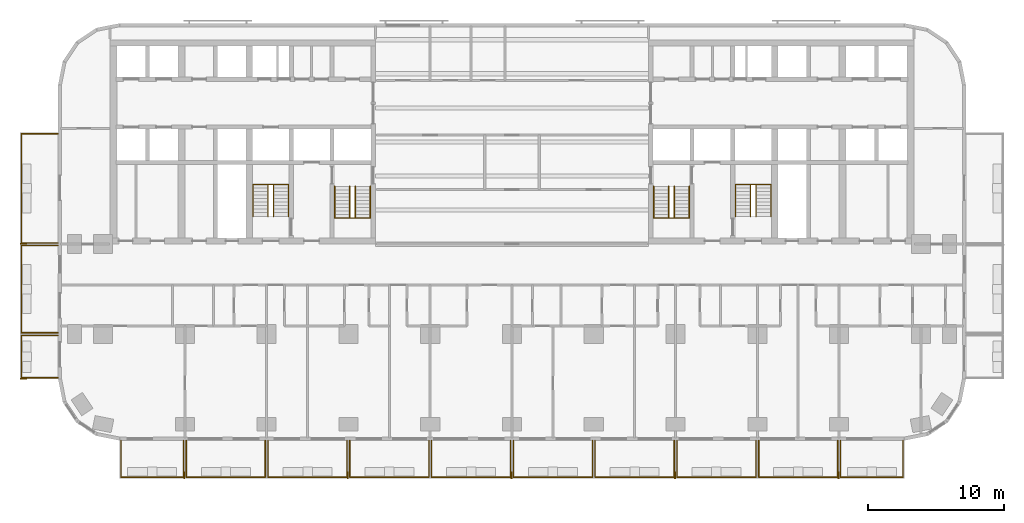
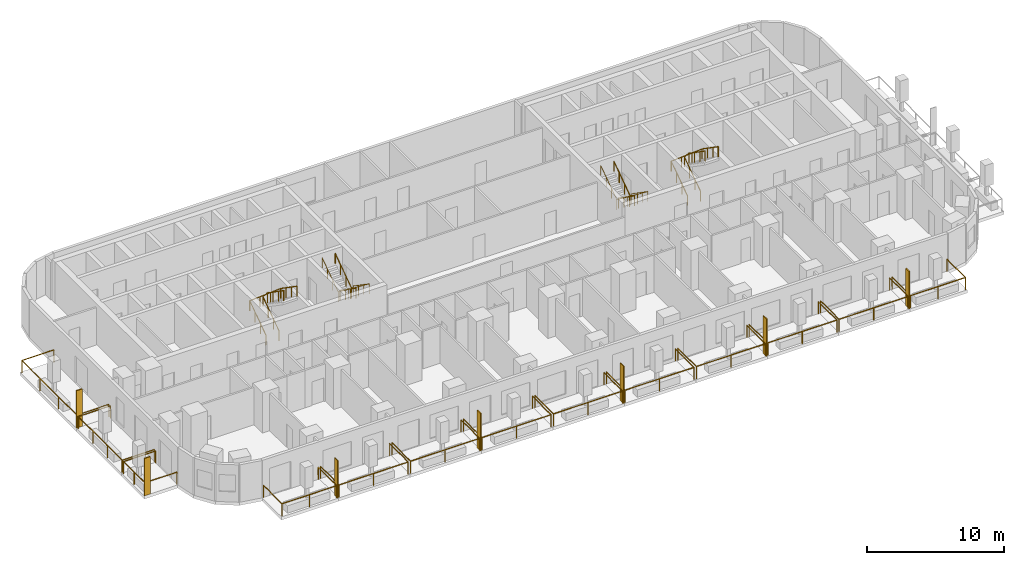
# One storey, part 12 of 14: 21 railings, 7 shading devices.
"""IFC4 building model written with IfcOpenShell, lengths in metres."""

from ifc_helpers import new_model, si_unit, direction, frame, origin, origin_2d, place, context, subcontext, project, spatial, rectangle, circle, extrude, material, layer, layer_set, type_object, element, save


model = new_model("IFC4")

# Units and contexts
model_context = context("Model", 3, precision=1e-05, world=origin(), true_north=direction((0.0, 1.0)))
body_context = subcontext(model_context, "Body", "Model", "MODEL_VIEW")
ifc_project = project(units=[si_unit("LENGTHUNIT", "METRE"), si_unit("AREAUNIT", "SQUARE_METRE"), si_unit("VOLUMEUNIT", "CUBIC_METRE"), si_unit("PLANEANGLEUNIT", "RADIAN"), si_unit("MASSUNIT", "GRAM", prefix="KILO")], contexts=[model_context])

# Site, building, storey
site_placement = place(None, origin())
site = spatial("IfcSite", under=ifc_project, at=site_placement, CompositionType="ELEMENT")
building_placement = place(site_placement, origin())
building = spatial("IfcBuilding", under=site, at=building_placement, Name="Torana Hotel and Residences", CompositionType="ELEMENT")
storey_placement = place(building_placement, frame((0.0, 0.0, 74.39990234375)))
storey = spatial("IfcBuildingStorey", under=building, at=storey_placement, Name="L18", CompositionType="ELEMENT", Elevation=74.39990234375)

# Shading devices
ifc_material_1 = material(Name="Black powder coated aluminium", Category="aluminium")
ifc_layer = layer(ifc_material_1, 0.080078125)
ifc_layer_set = layer_set([ifc_layer], Name="FN1 VERTICAL FIN 500x80")
shading_device_type = type_object("IfcShadingDeviceType", Name="FN1 VERTICAL FIN 500x80", PredefinedType="USERDEFINED", material=ifc_layer_set)
for number, where, z_axis, x_axis, name in (
    (1, (-24.0400390625, -31.949951171875, 0.0), (0.0, 0.0, 1.0), (-1.0, 0.0, 0.0), "Fin 01"),
    (2, (-12.0400390625, -31.949951171875, 0.0), (0.0, 0.0, 1.0), (-1.0, 0.0, 0.0), "Fin 03"),
    (3, (-0.0400390625, -31.949951171875, 0.0), (0.0, 0.0, 1.0), (-1.0, 0.0, 0.0), "Fin 05"),
    (4, (11.9599609375, -31.949951171875, 0.0), (0.0, 0.0, 1.0), (-1.0, 0.0, 0.0), "Fin 07"),
    (5, (23.9599609375, -31.949951171875, 0.0), (0.0, 0.0, 1.0), (-1.0, 0.0, 0.0), "Fin 09"),
    (6, (-35.85009765625, -24.860107421875, 0.0), (0.0, 0.0, 1.0), (0.0, 1.0, 0.0), "Fin 11"),
    (7, (-35.85009765625, -14.9599609375, 0.0), (0.0, 0.0, 1.0), (0.0, 1.0, 0.0), "Fin 13"),
):
    element("IfcShadingDevice", number, at=place(storey_placement, frame(where, z_axis=z_axis, x_axis=x_axis)), inside=storey, type_object=shading_device_type, Name=name, ObjectType="FIN", PredefinedType="USERDEFINED", context=body_context, shape_type="SweptSolid", body=[
        extrude(rectangle(XDim=0.080078125, YDim=0.5, at=origin_2d()), origin(), (0.0, 0.0, 1.0), 3.320068359375),
    ])

# Railings
ifc_material_2 = material(Name="Laminated glass balustrade with black handrail", Category="glass")
railing_type_1 = type_object("IfcRailingType", Name="GR1 BALCONY GUARD 1100 GLASS", PredefinedType="GUARDRAIL", material=ifc_material_2)
railing_1_placement = place(storey_placement, frame((-24.10009765625, -29.39990234375, 0.0)))
element("IfcRailing", 8, at=railing_1_placement, inside=storey, type_object=railing_type_1, Name="Balcony guard 01", PredefinedType="GUARDRAIL", context=body_context, shape_type="SweptSolid", body=[
    extrude(circle(Radius=0.02392578125, at=origin_2d()), frame((0.0, 0.0, 1.076171875), z_axis=(0.0, -1.0, 0.0), x_axis=(1.0, 0.0, 0.0)), (0.0, 0.0, 1.0), 2.7001953125),
    extrude(circle(Radius=0.02392578125, at=origin_2d()), frame((0.0, -2.7001953125, 1.076171875), z_axis=(-1.0, 0.0, 0.0), x_axis=(0.0, -1.0, 0.0)), (0.0, 0.0, 1.0), 4.599853515625),
    extrude(circle(Radius=0.02392578125, at=origin_2d()), frame((-4.599853515625, -2.7001953125, 1.076171875), z_axis=(0.0, 1.0, 0.0), x_axis=(-1.0, 0.0, 0.0)), (0.0, 0.0, 1.0), 2.7001953125),
    extrude(circle(Radius=0.02099609375, at=origin_2d()), origin(), (0.0, 0.0, 1.0), 1.052001953125),
    extrude(circle(Radius=0.02099609375, at=origin_2d()), frame((0.0, -2.7001953125, 0.0)), (0.0, 0.0, 1.0), 1.052001953125),
    extrude(circle(Radius=0.02099609375, at=origin_2d()), frame((-2.2998046875, -2.7001953125, 0.0)), (0.0, 0.0, 1.0), 1.052001953125),
    extrude(circle(Radius=0.02099609375, at=origin_2d()), frame((-4.599853515625, -2.7001953125, 0.0)), (0.0, 0.0, 1.0), 1.052001953125),
    extrude(circle(Radius=0.02099609375, at=origin_2d()), frame((-4.599853515625, 0.0, 0.0)), (0.0, 0.0, 1.0), 1.052001953125),
])
for number, where, name in (
    (9, (-18.10009765625, -29.39990234375, 0.0), "Balcony guard 02"),
    (10, (-12.10009765625, -29.39990234375, 0.0), "Balcony guard 03"),
    (11, (-6.10009765625, -29.39990234375, 0.0), "Balcony guard 04"),
    (12, (-0.10009765625, -29.39990234375, 0.0), "Balcony guard 05"),
    (13, (5.89990234375, -29.39990234375, 0.0), "Balcony guard 06"),
    (14, (11.89990234375, -29.39990234375, 0.0), "Balcony guard 07"),
    (15, (17.89990234375, -29.39990234375, 0.0), "Balcony guard 08"),
    (16, (23.89990234375, -29.39990234375, 0.0), "Balcony guard 09"),
):
    element("IfcRailing", number, at=place(storey_placement, frame(where)), inside=storey, type_object=railing_type_1, Name=name, PredefinedType="GUARDRAIL", context=body_context, shape_type="SweptSolid", body=[
        extrude(circle(Radius=0.02392578125, at=origin_2d()), frame((0.0, 0.0, 1.076171875), z_axis=(0.0, -1.0, 0.0), x_axis=(1.0, 0.0, 0.0)), (0.0, 0.0, 1.0), 2.7001953125),
        extrude(circle(Radius=0.02392578125, at=origin_2d()), frame((0.0, -2.7001953125, 1.076171875), z_axis=(-1.0, 0.0, 0.0), x_axis=(0.0, -1.0, 0.0)), (0.0, 0.0, 1.0), 5.7998046875),
        extrude(circle(Radius=0.02392578125, at=origin_2d()), frame((-5.7998046875, -2.7001953125, 1.076171875), z_axis=(0.0, 1.0, 0.0), x_axis=(-1.0, 0.0, 0.0)), (0.0, 0.0, 1.0), 2.7001953125),
        extrude(circle(Radius=0.02099609375, at=origin_2d()), origin(), (0.0, 0.0, 1.0), 1.052001953125),
        extrude(circle(Radius=0.02099609375, at=origin_2d()), frame((0.0, -2.7001953125, 0.0)), (0.0, 0.0, 1.0), 1.052001953125),
        extrude(circle(Radius=0.02099609375, at=origin_2d()), frame((-2.89990234375, -2.7001953125, 0.0)), (0.0, 0.0, 1.0), 1.052001953125),
        extrude(circle(Radius=0.02099609375, at=origin_2d()), frame((-5.7998046875, -2.7001953125, 0.0)), (0.0, 0.0, 1.0), 1.052001953125),
        extrude(circle(Radius=0.02099609375, at=origin_2d()), frame((-5.7998046875, 0.0, 0.0)), (0.0, 0.0, 1.0), 1.052001953125),
    ])
railing_2_placement = place(storey_placement, frame((28.699951171875, -29.39990234375, 0.0)))
element("IfcRailing", 17, at=railing_2_placement, inside=storey, type_object=railing_type_1, Name="Balcony guard 10", PredefinedType="GUARDRAIL", context=body_context, shape_type="SweptSolid", body=[
    extrude(circle(Radius=0.02392578125, at=origin_2d()), frame((0.0, 0.0, 1.076171875), z_axis=(0.0, -1.0, 0.0), x_axis=(1.0, 0.0, 0.0)), (0.0, 0.0, 1.0), 2.7001953125),
    extrude(circle(Radius=0.02392578125, at=origin_2d()), frame((0.0, -2.7001953125, 1.076171875), z_axis=(-1.0, 0.0, 0.0), x_axis=(0.0, -1.0, 0.0)), (0.0, 0.0, 1.0), 4.599853515625),
    extrude(circle(Radius=0.02392578125, at=origin_2d()), frame((-4.599853515625, -2.7001953125, 1.076171875), z_axis=(0.0, 1.0, 0.0), x_axis=(-1.0, 0.0, 0.0)), (0.0, 0.0, 1.0), 2.7001953125),
    extrude(circle(Radius=0.02099609375, at=origin_2d()), origin(), (0.0, 0.0, 1.0), 1.052001953125),
    extrude(circle(Radius=0.02099609375, at=origin_2d()), frame((0.0, -2.7001953125, 0.0)), (0.0, 0.0, 1.0), 1.052001953125),
    extrude(circle(Radius=0.02099609375, at=origin_2d()), frame((-2.2998046875, -2.7001953125, 0.0)), (0.0, 0.0, 1.0), 1.052001953125),
    extrude(circle(Radius=0.02099609375, at=origin_2d()), frame((-4.599853515625, -2.7001953125, 0.0)), (0.0, 0.0, 1.0), 1.052001953125),
    extrude(circle(Radius=0.02099609375, at=origin_2d()), frame((-4.599853515625, 0.0, 0.0)), (0.0, 0.0, 1.0), 1.052001953125),
])
railing_3_placement = place(storey_placement, frame((-33.300048828125, -24.800048828125, 0.0)))
element("IfcRailing", 18, at=railing_3_placement, inside=storey, type_object=railing_type_1, Name="Balcony guard 11", PredefinedType="GUARDRAIL", context=body_context, shape_type="SweptSolid", body=[
    extrude(circle(Radius=0.02392578125, at=origin_2d()), frame((0.0, 0.0, 1.076171875), z_axis=(-1.0, 0.0, 0.0), x_axis=(0.0, -1.0, 0.0)), (0.0, 0.0, 1.0), 2.699951171875),
    extrude(circle(Radius=0.02392578125, at=origin_2d()), frame((-2.699951171875, 0.0, 1.076171875), z_axis=(0.0, 1.0, 0.0), x_axis=(-1.0, 0.0, 0.0)), (0.0, 0.0, 1.0), 3.10009765625),
    extrude(circle(Radius=0.02392578125, at=origin_2d()), frame((-2.699951171875, 3.10009765625, 1.076171875), z_axis=(1.0, 0.0, 0.0), x_axis=(0.0, 1.0, 0.0)), (0.0, 0.0, 1.0), 2.699951171875),
    extrude(circle(Radius=0.02099609375, at=origin_2d()), origin(), (0.0, 0.0, 1.0), 1.052001953125),
    extrude(circle(Radius=0.02099609375, at=origin_2d()), frame((-2.699951171875, 0.0, 0.0)), (0.0, 0.0, 1.0), 1.052001953125),
    extrude(circle(Radius=0.02099609375, at=origin_2d()), frame((-2.699951171875, 1.550048828125, 0.0)), (0.0, 0.0, 1.0), 1.052001953125),
    extrude(circle(Radius=0.02099609375, at=origin_2d()), frame((-2.699951171875, 3.10009765625, 0.0)), (0.0, 0.0, 1.0), 1.052001953125),
    extrude(circle(Radius=0.02099609375, at=origin_2d()), frame((0.0, 3.10009765625, 0.0)), (0.0, 0.0, 1.0), 1.052001953125),
])
railing_4_placement = place(storey_placement, frame((-33.300048828125, -21.5, 0.0)))
element("IfcRailing", 19, at=railing_4_placement, inside=storey, type_object=railing_type_1, Name="Balcony guard 12", PredefinedType="GUARDRAIL", context=body_context, shape_type="SweptSolid", body=[
    extrude(circle(Radius=0.02392578125, at=origin_2d()), frame((0.0, 0.0, 1.076171875), z_axis=(-1.0, 0.0, 0.0), x_axis=(0.0, -1.0, 0.0)), (0.0, 0.0, 1.0), 2.699951171875),
    extrude(circle(Radius=0.02392578125, at=origin_2d()), frame((-2.699951171875, 0.0, 1.076171875), z_axis=(0.0, 1.0, 0.0), x_axis=(-1.0, 0.0, 0.0)), (0.0, 0.0, 1.0), 6.39990234375),
    extrude(circle(Radius=0.02392578125, at=origin_2d()), frame((-2.699951171875, 6.39990234375, 1.076171875), z_axis=(1.0, 0.0, 0.0), x_axis=(0.0, 1.0, 0.0)), (0.0, 0.0, 1.0), 2.699951171875),
    extrude(circle(Radius=0.02099609375, at=origin_2d()), origin(), (0.0, 0.0, 1.0), 1.052001953125),
    extrude(circle(Radius=0.02099609375, at=origin_2d()), frame((-2.699951171875, 0.0, 0.0)), (0.0, 0.0, 1.0), 1.052001953125),
    extrude(circle(Radius=0.02099609375, at=origin_2d()), frame((-2.699951171875, 2.13330078125, 0.0)), (0.0, 0.0, 1.0), 1.052001953125),
    extrude(circle(Radius=0.02099609375, at=origin_2d()), frame((-2.699951171875, 4.2666015625, 0.0)), (0.0, 0.0, 1.0), 1.052001953125),
    extrude(circle(Radius=0.02099609375, at=origin_2d()), frame((-2.699951171875, 6.39990234375, 0.0)), (0.0, 0.0, 1.0), 1.052001953125),
    extrude(circle(Radius=0.02099609375, at=origin_2d()), frame((0.0, 6.39990234375, 0.0)), (0.0, 0.0, 1.0), 1.052001953125),
])
railing_5_placement = place(storey_placement, frame((-33.300048828125, -14.89990234375, 0.0)))
element("IfcRailing", 20, at=railing_5_placement, inside=storey, type_object=railing_type_1, Name="Balcony guard 13", PredefinedType="GUARDRAIL", context=body_context, shape_type="SweptSolid", body=[
    extrude(circle(Radius=0.02392578125, at=origin_2d()), frame((0.0, 0.0, 1.076171875), z_axis=(-1.0, 0.0, 0.0), x_axis=(0.0, -1.0, 0.0)), (0.0, 0.0, 1.0), 2.699951171875),
    extrude(circle(Radius=0.02392578125, at=origin_2d()), frame((-2.699951171875, 0.0, 1.076171875), z_axis=(0.0, 1.0, 0.0), x_axis=(-1.0, 0.0, 0.0)), (0.0, 0.0, 1.0), 8.0),
    extrude(circle(Radius=0.02392578125, at=origin_2d()), frame((-2.699951171875, 8.0, 1.076171875), z_axis=(1.0, 0.0, 0.0), x_axis=(0.0, 1.0, 0.0)), (0.0, 0.0, 1.0), 2.699951171875),
    extrude(circle(Radius=0.02099609375, at=origin_2d()), origin(), (0.0, 0.0, 1.0), 1.052001953125),
    extrude(circle(Radius=0.02099609375, at=origin_2d()), frame((-2.699951171875, 0.0, 0.0)), (0.0, 0.0, 1.0), 1.052001953125),
    extrude(circle(Radius=0.02099609375, at=origin_2d()), frame((-2.699951171875, 2.666748046875, 0.0)), (0.0, 0.0, 1.0), 1.052001953125),
    extrude(circle(Radius=0.02099609375, at=origin_2d()), frame((-2.699951171875, 5.333251953125, 0.0)), (0.0, 0.0, 1.0), 1.052001953125),
    extrude(circle(Radius=0.02099609375, at=origin_2d()), frame((-2.699951171875, 8.0, 0.0)), (0.0, 0.0, 1.0), 1.052001953125),
    extrude(circle(Radius=0.02099609375, at=origin_2d()), frame((0.0, 8.0, 0.0)), (0.0, 0.0, 1.0), 1.052001953125),
])
ifc_material_3 = material(Name="Stainless steel 316", Category="steel")
railing_type_2 = type_object("IfcRailingType", Name="STAIR HANDRAIL HR1 900", PredefinedType="HANDRAIL", material=ifc_material_3)
railing_6_placement = place(storey_placement, frame((-10.39990234375, -10.75, 0.18017578125)))
element("IfcRailing", 21, at=railing_6_placement, inside=storey, type_object=railing_type_2, Name="Handrail ST1 L18 O1", PredefinedType="HANDRAIL", context=body_context, shape_type="SweptSolid", body=[
    extrude(circle(Radius=0.02392578125, at=origin_2d()), frame((0.0, 0.0, 0.8759765625), z_axis=(0.0, -0.822223072051, 0.569165371211), x_axis=(1.0, 0.0, 0.0)), (0.0, 0.0, 1.0), 2.845947265625),
    extrude(circle(Radius=0.02392578125, at=origin_2d()), frame((0.0, -2.340087890625, 2.49560546875), z_axis=(-0.997614115953, 0.0, 0.069036770278), x_axis=(0.0, -1.0, 0.0)), (0.0, 0.0, 1.0), 2.606201171875),
    extrude(circle(Radius=0.02392578125, at=origin_2d()), frame((-2.60009765625, -2.340087890625, 2.67578125), z_axis=(0.0, 0.822182927502, 0.569223360136), x_axis=(-1.0, 0.0, 0.0)), (0.0, 0.0, 1.0), 2.84619140625),
    extrude(circle(Radius=0.02099609375, at=origin_2d()), origin(), (0.0, 0.0, 1.0), 0.851806640625),
    extrude(circle(Radius=0.02099609375, at=origin_2d()), frame((0.0, -0.780029296875, 0.5400390625)), (0.0, 0.0, 1.0), 0.851806640625),
    extrude(circle(Radius=0.02099609375, at=origin_2d()), frame((0.0, -1.56005859375, 1.079833984375)), (0.0, 0.0, 1.0), 0.851806640625),
    extrude(circle(Radius=0.02099609375, at=origin_2d()), frame((0.0, -2.340087890625, 1.619873046875)), (0.0, 0.0, 1.0), 0.851806640625),
    extrude(circle(Radius=0.02099609375, at=origin_2d()), frame((-0.86669921875, -2.340087890625, 1.679931640625)), (0.0, 0.0, 1.0), 0.851806640625),
    extrude(circle(Radius=0.02099609375, at=origin_2d()), frame((-1.7333984375, -2.340087890625, 1.73974609375)), (0.0, 0.0, 1.0), 0.851806640625),
    extrude(circle(Radius=0.02099609375, at=origin_2d()), frame((-2.60009765625, -2.340087890625, 1.7998046875)), (0.0, 0.0, 1.0), 0.851806640625),
    extrude(circle(Radius=0.02099609375, at=origin_2d()), frame((-2.60009765625, -1.56005859375, 2.33984375)), (0.0, 0.0, 1.0), 0.851806640625),
    extrude(circle(Radius=0.02099609375, at=origin_2d()), frame((-2.60009765625, -0.780029296875, 2.8798828125)), (0.0, 0.0, 1.0), 0.851806640625),
    extrude(circle(Radius=0.02099609375, at=origin_2d()), frame((-2.60009765625, 0.0, 3.419921875)), (0.0, 0.0, 1.0), 0.851806640625),
])
railing_7_placement = place(storey_placement, frame((-11.5, -10.75, 0.18017578125)))
element("IfcRailing", 22, at=railing_7_placement, inside=storey, type_object=railing_type_2, Name="Handrail ST1 L18 I1", PredefinedType="HANDRAIL", context=body_context, shape_type="SweptSolid", body=[
    extrude(circle(Radius=0.02392578125, at=origin_2d()), frame((0.0, 0.0, 0.8759765625), z_axis=(0.0, -0.822223072051, 0.569165371211), x_axis=(1.0, 0.0, 0.0)), (0.0, 0.0, 1.0), 2.845947265625),
    extrude(circle(Radius=0.02392578125, at=origin_2d()), frame((0.0, -2.340087890625, 2.49560546875), z_axis=(-0.911942338396, 0.0, 0.410318378143), x_axis=(0.0, -1.0, 0.0)), (0.0, 0.0, 1.0), 0.4384765625),
    extrude(circle(Radius=0.02392578125, at=origin_2d()), frame((-0.39990234375, -2.340087890625, 2.67578125), z_axis=(0.0, 0.822182927502, 0.569223360136), x_axis=(-1.0, 0.0, 0.0)), (0.0, 0.0, 1.0), 2.84619140625),
    extrude(circle(Radius=0.02099609375, at=origin_2d()), origin(), (0.0, 0.0, 1.0), 0.851806640625),
    extrude(circle(Radius=0.02099609375, at=origin_2d()), frame((0.0, -0.780029296875, 0.5400390625)), (0.0, 0.0, 1.0), 0.851806640625),
    extrude(circle(Radius=0.02099609375, at=origin_2d()), frame((0.0, -1.56005859375, 1.079833984375)), (0.0, 0.0, 1.0), 0.851806640625),
    extrude(circle(Radius=0.02099609375, at=origin_2d()), frame((0.0, -2.340087890625, 1.619873046875)), (0.0, 0.0, 1.0), 0.851806640625),
    extrude(circle(Radius=0.02099609375, at=origin_2d()), frame((-0.39990234375, -2.340087890625, 1.7998046875)), (0.0, 0.0, 1.0), 0.851806640625),
    extrude(circle(Radius=0.02099609375, at=origin_2d()), frame((-0.39990234375, -1.56005859375, 2.33984375)), (0.0, 0.0, 1.0), 0.851806640625),
    extrude(circle(Radius=0.02099609375, at=origin_2d()), frame((-0.39990234375, -0.780029296875, 2.8798828125)), (0.0, 0.0, 1.0), 0.851806640625),
    extrude(circle(Radius=0.02099609375, at=origin_2d()), frame((-0.39990234375, 0.0, 3.419921875)), (0.0, 0.0, 1.0), 0.851806640625),
])
railing_8_placement = place(storey_placement, frame((-19.0, -12.949951171875, 0.18017578125)))
element("IfcRailing", 23, at=railing_8_placement, inside=storey, type_object=railing_type_2, Name="Handrail ST2 L18 O1", PredefinedType="HANDRAIL", context=body_context, shape_type="SweptSolid", body=[
    extrude(circle(Radius=0.02392578125, at=origin_2d()), frame((0.0, 0.0, 0.8759765625), z_axis=(0.0, 0.822195280011, 0.569205517829), x_axis=(-1.0, 0.0, 0.0)), (0.0, 0.0, 1.0), 2.845947265625),
    extrude(circle(Radius=0.02392578125, at=origin_2d()), frame((0.0, 2.33984375, 2.49560546875), z_axis=(0.997614115953, 0.0, 0.069036770278), x_axis=(0.0, 1.0, 0.0)), (0.0, 0.0, 1.0), 2.606201171875),
    extrude(circle(Radius=0.02392578125, at=origin_2d()), frame((2.60009765625, 2.33984375, 2.67578125), z_axis=(0.0, -0.822155131156, 0.569263506923), x_axis=(1.0, 0.0, 0.0)), (0.0, 0.0, 1.0), 2.845947265625),
    extrude(circle(Radius=0.02099609375, at=origin_2d()), origin(), (0.0, 0.0, 1.0), 0.851806640625),
    extrude(circle(Radius=0.02099609375, at=origin_2d()), frame((0.0, 0.780029296875, 0.5400390625)), (0.0, 0.0, 1.0), 0.851806640625),
    extrude(circle(Radius=0.02099609375, at=origin_2d()), frame((0.0, 1.559814453125, 1.079833984375)), (0.0, 0.0, 1.0), 0.851806640625),
    extrude(circle(Radius=0.02099609375, at=origin_2d()), frame((0.0, 2.33984375, 1.619873046875)), (0.0, 0.0, 1.0), 0.851806640625),
    extrude(circle(Radius=0.02099609375, at=origin_2d()), frame((0.86669921875, 2.33984375, 1.679931640625)), (0.0, 0.0, 1.0), 0.851806640625),
    extrude(circle(Radius=0.02099609375, at=origin_2d()), frame((1.7333984375, 2.33984375, 1.73974609375)), (0.0, 0.0, 1.0), 0.851806640625),
    extrude(circle(Radius=0.02099609375, at=origin_2d()), frame((2.60009765625, 2.33984375, 1.7998046875)), (0.0, 0.0, 1.0), 0.851806640625),
    extrude(circle(Radius=0.02099609375, at=origin_2d()), frame((2.60009765625, 1.559814453125, 2.33984375)), (0.0, 0.0, 1.0), 0.851806640625),
    extrude(circle(Radius=0.02099609375, at=origin_2d()), frame((2.60009765625, 0.780029296875, 2.8798828125)), (0.0, 0.0, 1.0), 0.851806640625),
    extrude(circle(Radius=0.02099609375, at=origin_2d()), frame((2.60009765625, 0.0, 3.419921875)), (0.0, 0.0, 1.0), 0.851806640625),
])
railing_9_placement = place(storey_placement, frame((-17.89990234375, -12.949951171875, 0.18017578125)))
element("IfcRailing", 24, at=railing_9_placement, inside=storey, type_object=railing_type_2, Name="Handrail ST2 L18 I1", PredefinedType="HANDRAIL", context=body_context, shape_type="SweptSolid", body=[
    extrude(circle(Radius=0.02392578125, at=origin_2d()), frame((0.0, 0.0, 0.8759765625), z_axis=(0.0, 0.822195280011, 0.569205517829), x_axis=(-1.0, 0.0, 0.0)), (0.0, 0.0, 1.0), 2.845947265625),
    extrude(circle(Radius=0.02392578125, at=origin_2d()), frame((0.0, 2.33984375, 2.49560546875), z_axis=(0.911942338396, 0.0, 0.410318378143), x_axis=(0.0, 1.0, 0.0)), (0.0, 0.0, 1.0), 0.4384765625),
    extrude(circle(Radius=0.02392578125, at=origin_2d()), frame((0.39990234375, 2.33984375, 2.67578125), z_axis=(0.0, -0.822155131156, 0.569263506923), x_axis=(1.0, 0.0, 0.0)), (0.0, 0.0, 1.0), 2.845947265625),
    extrude(circle(Radius=0.02099609375, at=origin_2d()), origin(), (0.0, 0.0, 1.0), 0.851806640625),
    extrude(circle(Radius=0.02099609375, at=origin_2d()), frame((0.0, 0.780029296875, 0.5400390625)), (0.0, 0.0, 1.0), 0.851806640625),
    extrude(circle(Radius=0.02099609375, at=origin_2d()), frame((0.0, 1.559814453125, 1.079833984375)), (0.0, 0.0, 1.0), 0.851806640625),
    extrude(circle(Radius=0.02099609375, at=origin_2d()), frame((0.0, 2.33984375, 1.619873046875)), (0.0, 0.0, 1.0), 0.851806640625),
    extrude(circle(Radius=0.02099609375, at=origin_2d()), frame((0.39990234375, 2.33984375, 1.7998046875)), (0.0, 0.0, 1.0), 0.851806640625),
    extrude(circle(Radius=0.02099609375, at=origin_2d()), frame((0.39990234375, 1.559814453125, 2.33984375)), (0.0, 0.0, 1.0), 0.851806640625),
    extrude(circle(Radius=0.02099609375, at=origin_2d()), frame((0.39990234375, 0.780029296875, 2.8798828125)), (0.0, 0.0, 1.0), 0.851806640625),
    extrude(circle(Radius=0.02099609375, at=origin_2d()), frame((0.39990234375, 0.0, 3.419921875)), (0.0, 0.0, 1.0), 0.851806640625),
])
railing_10_placement = place(storey_placement, frame((13.0, -10.75, 0.18017578125)))
element("IfcRailing", 25, at=railing_10_placement, inside=storey, type_object=railing_type_2, Name="Handrail ST3 L18 O1", PredefinedType="HANDRAIL", context=body_context, shape_type="SweptSolid", body=[
    extrude(circle(Radius=0.02392578125, at=origin_2d()), frame((0.0, 0.0, 0.8759765625), z_axis=(0.0, -0.822223072051, 0.569165371211), x_axis=(1.0, 0.0, 0.0)), (0.0, 0.0, 1.0), 2.845947265625),
    extrude(circle(Radius=0.02392578125, at=origin_2d()), frame((0.0, -2.340087890625, 2.49560546875), z_axis=(-0.997614115953, 0.0, 0.069036770278), x_axis=(0.0, -1.0, 0.0)), (0.0, 0.0, 1.0), 2.606201171875),
    extrude(circle(Radius=0.02392578125, at=origin_2d()), frame((-2.60009765625, -2.340087890625, 2.67578125), z_axis=(0.0, 0.822182927502, 0.569223360136), x_axis=(-1.0, 0.0, 0.0)), (0.0, 0.0, 1.0), 2.84619140625),
    extrude(circle(Radius=0.02099609375, at=origin_2d()), origin(), (0.0, 0.0, 1.0), 0.851806640625),
    extrude(circle(Radius=0.02099609375, at=origin_2d()), frame((0.0, -0.780029296875, 0.5400390625)), (0.0, 0.0, 1.0), 0.851806640625),
    extrude(circle(Radius=0.02099609375, at=origin_2d()), frame((0.0, -1.56005859375, 1.079833984375)), (0.0, 0.0, 1.0), 0.851806640625),
    extrude(circle(Radius=0.02099609375, at=origin_2d()), frame((0.0, -2.340087890625, 1.619873046875)), (0.0, 0.0, 1.0), 0.851806640625),
    extrude(circle(Radius=0.02099609375, at=origin_2d()), frame((-0.86669921875, -2.340087890625, 1.679931640625)), (0.0, 0.0, 1.0), 0.851806640625),
    extrude(circle(Radius=0.02099609375, at=origin_2d()), frame((-1.7333984375, -2.340087890625, 1.73974609375)), (0.0, 0.0, 1.0), 0.851806640625),
    extrude(circle(Radius=0.02099609375, at=origin_2d()), frame((-2.60009765625, -2.340087890625, 1.7998046875)), (0.0, 0.0, 1.0), 0.851806640625),
    extrude(circle(Radius=0.02099609375, at=origin_2d()), frame((-2.60009765625, -1.56005859375, 2.33984375)), (0.0, 0.0, 1.0), 0.851806640625),
    extrude(circle(Radius=0.02099609375, at=origin_2d()), frame((-2.60009765625, -0.780029296875, 2.8798828125)), (0.0, 0.0, 1.0), 0.851806640625),
    extrude(circle(Radius=0.02099609375, at=origin_2d()), frame((-2.60009765625, 0.0, 3.419921875)), (0.0, 0.0, 1.0), 0.851806640625),
])
railing_11_placement = place(storey_placement, frame((11.89990234375, -10.75, 0.18017578125)))
element("IfcRailing", 26, at=railing_11_placement, inside=storey, type_object=railing_type_2, Name="Handrail ST3 L18 I1", PredefinedType="HANDRAIL", context=body_context, shape_type="SweptSolid", body=[
    extrude(circle(Radius=0.02392578125, at=origin_2d()), frame((0.0, 0.0, 0.8759765625), z_axis=(0.0, -0.822223072051, 0.569165371211), x_axis=(1.0, 0.0, 0.0)), (0.0, 0.0, 1.0), 2.845947265625),
    extrude(circle(Radius=0.02392578125, at=origin_2d()), frame((0.0, -2.340087890625, 2.49560546875), z_axis=(-0.911942338396, 0.0, 0.410318378143), x_axis=(0.0, -1.0, 0.0)), (0.0, 0.0, 1.0), 0.4384765625),
    extrude(circle(Radius=0.02392578125, at=origin_2d()), frame((-0.39990234375, -2.340087890625, 2.67578125), z_axis=(0.0, 0.822182927502, 0.569223360136), x_axis=(-1.0, 0.0, 0.0)), (0.0, 0.0, 1.0), 2.84619140625),
    extrude(circle(Radius=0.02099609375, at=origin_2d()), origin(), (0.0, 0.0, 1.0), 0.851806640625),
    extrude(circle(Radius=0.02099609375, at=origin_2d()), frame((0.0, -0.780029296875, 0.5400390625)), (0.0, 0.0, 1.0), 0.851806640625),
    extrude(circle(Radius=0.02099609375, at=origin_2d()), frame((0.0, -1.56005859375, 1.079833984375)), (0.0, 0.0, 1.0), 0.851806640625),
    extrude(circle(Radius=0.02099609375, at=origin_2d()), frame((0.0, -2.340087890625, 1.619873046875)), (0.0, 0.0, 1.0), 0.851806640625),
    extrude(circle(Radius=0.02099609375, at=origin_2d()), frame((-0.39990234375, -2.340087890625, 1.7998046875)), (0.0, 0.0, 1.0), 0.851806640625),
    extrude(circle(Radius=0.02099609375, at=origin_2d()), frame((-0.39990234375, -1.56005859375, 2.33984375)), (0.0, 0.0, 1.0), 0.851806640625),
    extrude(circle(Radius=0.02099609375, at=origin_2d()), frame((-0.39990234375, -0.780029296875, 2.8798828125)), (0.0, 0.0, 1.0), 0.851806640625),
    extrude(circle(Radius=0.02099609375, at=origin_2d()), frame((-0.39990234375, 0.0, 3.419921875)), (0.0, 0.0, 1.0), 0.851806640625),
])
railing_12_placement = place(storey_placement, frame((16.39990234375, -12.949951171875, 0.18017578125)))
element("IfcRailing", 27, at=railing_12_placement, inside=storey, type_object=railing_type_2, Name="Handrail ST4 L18 O1", PredefinedType="HANDRAIL", context=body_context, shape_type="SweptSolid", body=[
    extrude(circle(Radius=0.02392578125, at=origin_2d()), frame((0.0, 0.0, 0.8759765625), z_axis=(0.0, 0.822195280011, 0.569205517829), x_axis=(-1.0, 0.0, 0.0)), (0.0, 0.0, 1.0), 2.845947265625),
    extrude(circle(Radius=0.02392578125, at=origin_2d()), frame((0.0, 2.33984375, 2.49560546875), z_axis=(0.997614115953, 0.0, 0.069036770278), x_axis=(0.0, 1.0, 0.0)), (0.0, 0.0, 1.0), 2.606201171875),
    extrude(circle(Radius=0.02392578125, at=origin_2d()), frame((2.60009765625, 2.33984375, 2.67578125), z_axis=(0.0, -0.822155131156, 0.569263506923), x_axis=(1.0, 0.0, 0.0)), (0.0, 0.0, 1.0), 2.845947265625),
    extrude(circle(Radius=0.02099609375, at=origin_2d()), origin(), (0.0, 0.0, 1.0), 0.851806640625),
    extrude(circle(Radius=0.02099609375, at=origin_2d()), frame((0.0, 0.780029296875, 0.5400390625)), (0.0, 0.0, 1.0), 0.851806640625),
    extrude(circle(Radius=0.02099609375, at=origin_2d()), frame((0.0, 1.559814453125, 1.079833984375)), (0.0, 0.0, 1.0), 0.851806640625),
    extrude(circle(Radius=0.02099609375, at=origin_2d()), frame((0.0, 2.33984375, 1.619873046875)), (0.0, 0.0, 1.0), 0.851806640625),
    extrude(circle(Radius=0.02099609375, at=origin_2d()), frame((0.86669921875, 2.33984375, 1.679931640625)), (0.0, 0.0, 1.0), 0.851806640625),
    extrude(circle(Radius=0.02099609375, at=origin_2d()), frame((1.7333984375, 2.33984375, 1.73974609375)), (0.0, 0.0, 1.0), 0.851806640625),
    extrude(circle(Radius=0.02099609375, at=origin_2d()), frame((2.60009765625, 2.33984375, 1.7998046875)), (0.0, 0.0, 1.0), 0.851806640625),
    extrude(circle(Radius=0.02099609375, at=origin_2d()), frame((2.60009765625, 1.559814453125, 2.33984375)), (0.0, 0.0, 1.0), 0.851806640625),
    extrude(circle(Radius=0.02099609375, at=origin_2d()), frame((2.60009765625, 0.780029296875, 2.8798828125)), (0.0, 0.0, 1.0), 0.851806640625),
    extrude(circle(Radius=0.02099609375, at=origin_2d()), frame((2.60009765625, 0.0, 3.419921875)), (0.0, 0.0, 1.0), 0.851806640625),
])
railing_13_placement = place(storey_placement, frame((17.5, -12.949951171875, 0.18017578125)))
element("IfcRailing", 28, at=railing_13_placement, inside=storey, type_object=railing_type_2, Name="Handrail ST4 L18 I1", PredefinedType="HANDRAIL", context=body_context, shape_type="SweptSolid", body=[
    extrude(circle(Radius=0.02392578125, at=origin_2d()), frame((0.0, 0.0, 0.8759765625), z_axis=(0.0, 0.822195280011, 0.569205517829), x_axis=(-1.0, 0.0, 0.0)), (0.0, 0.0, 1.0), 2.845947265625),
    extrude(circle(Radius=0.02392578125, at=origin_2d()), frame((0.0, 2.33984375, 2.49560546875), z_axis=(0.911942338396, 0.0, 0.410318378143), x_axis=(0.0, 1.0, 0.0)), (0.0, 0.0, 1.0), 0.4384765625),
    extrude(circle(Radius=0.02392578125, at=origin_2d()), frame((0.39990234375, 2.33984375, 2.67578125), z_axis=(0.0, -0.822155131156, 0.569263506923), x_axis=(1.0, 0.0, 0.0)), (0.0, 0.0, 1.0), 2.845947265625),
    extrude(circle(Radius=0.02099609375, at=origin_2d()), origin(), (0.0, 0.0, 1.0), 0.851806640625),
    extrude(circle(Radius=0.02099609375, at=origin_2d()), frame((0.0, 0.780029296875, 0.5400390625)), (0.0, 0.0, 1.0), 0.851806640625),
    extrude(circle(Radius=0.02099609375, at=origin_2d()), frame((0.0, 1.559814453125, 1.079833984375)), (0.0, 0.0, 1.0), 0.851806640625),
    extrude(circle(Radius=0.02099609375, at=origin_2d()), frame((0.0, 2.33984375, 1.619873046875)), (0.0, 0.0, 1.0), 0.851806640625),
    extrude(circle(Radius=0.02099609375, at=origin_2d()), frame((0.39990234375, 2.33984375, 1.7998046875)), (0.0, 0.0, 1.0), 0.851806640625),
    extrude(circle(Radius=0.02099609375, at=origin_2d()), frame((0.39990234375, 1.559814453125, 2.33984375)), (0.0, 0.0, 1.0), 0.851806640625),
    extrude(circle(Radius=0.02099609375, at=origin_2d()), frame((0.39990234375, 0.780029296875, 2.8798828125)), (0.0, 0.0, 1.0), 0.851806640625),
    extrude(circle(Radius=0.02099609375, at=origin_2d()), frame((0.39990234375, 0.0, 3.419921875)), (0.0, 0.0, 1.0), 0.851806640625),
])

save(model, "model.ifc")
